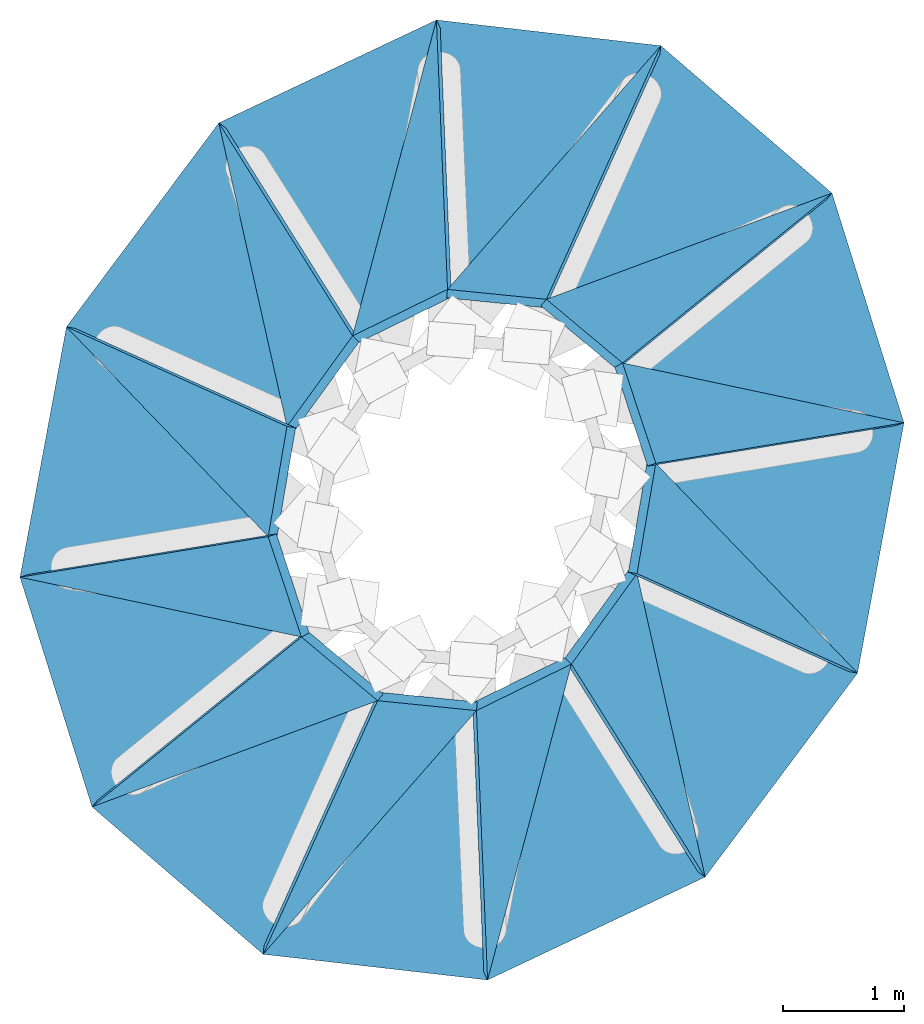
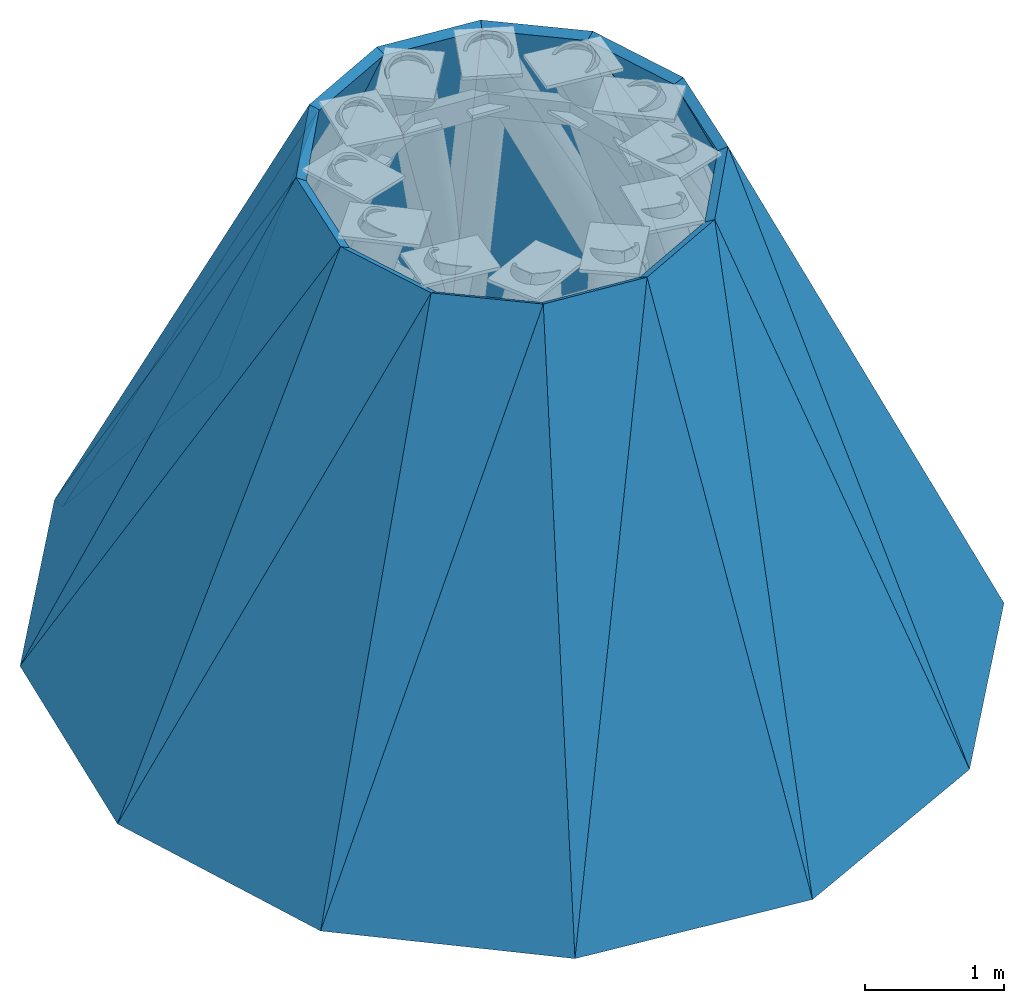
# One storey, part 2 of 2: 24 roofs.
"""IFC4 building model written with IfcOpenShell, lengths in metres."""

from ifc_helpers import new_model, si_unit, direction, frame, origin, place, context, subcontext, project, spatial, polyline, outline, extrude, material, layer, layer_set, type_object, element, save


model = new_model("IFC4")

# Units and contexts
model_context = context("Model", 3, precision=1e-05, world=origin(), true_north=direction((0.0, 1.0)))
body_context = subcontext(model_context, "Body", "Model", "MODEL_VIEW")
ifc_project = project(units=[si_unit("LENGTHUNIT", "METRE"), si_unit("AREAUNIT", "SQUARE_METRE"), si_unit("VOLUMEUNIT", "CUBIC_METRE"), si_unit("PLANEANGLEUNIT", "RADIAN"), si_unit("MASSUNIT", "GRAM", prefix="KILO")], contexts=[model_context])

# Site, building, storey
site_placement = place(None, origin())
site = spatial("IfcSite", under=ifc_project, at=site_placement, CompositionType="ELEMENT")
building_placement = place(site_placement, origin())
building = spatial("IfcBuilding", under=site, at=building_placement, Name="Veldorim Arch Residences", CompositionType="ELEMENT")
storey_placement = place(building_placement, frame((0.0, 0.0, 267.679931640625)))
storey = spatial("IfcBuildingStorey", under=building, at=storey_placement, Name="L79", CompositionType="ELEMENT", Elevation=267.679931640625)

# Roofs
ifc_material = material(Name="Laminated Low-E Glass", Category="glass")
ifc_layer = layer(ifc_material, 0.080078125, Name="Glass-Point Crown Laminated Double-Glazed Roof Facet")
ifc_layer_set = layer_set([ifc_layer], Name="Laminated Low-E Glass")
roof_type = type_object("IfcRoofType", Name="Glass-Point Crown Laminated Double-Glazed Roof Facet", PredefinedType="PAVILION_ROOF", material=ifc_layer_set)
roof_1_placement = place(storey_placement, frame((33.64404296875, 27.755859375, 0.0), z_axis=(0.100628832342, 0.878047216764, 0.467874901266), x_axis=(-0.993496808641, 0.113859963201, 0.0)))
element("IfcRoof", 1, at=roof_1_placement, inside=storey, type_object=roof_type, Name="L79 tapering glass-point crown facet 01A", PredefinedType="PAVILION_ROOF", context=body_context, shape_type="SweptSolid", body=[
    extrude(outline(polyline([(0.0, 0.0), (1.867614202543879, 1.3877787807814457e-17), (1.5228145823460693, 4.70715227941432), (0.0, 0.0)])), origin(), (0.0, 0.0, -1.0), 0.080078125),
])
roof_2_placement = place(storey_placement, frame((33.64404296875, 27.755859375, 0.0), z_axis=(0.088211724849, 0.881327292742, 0.464199197184), x_axis=(-0.356488379133, -0.407217899309, 0.840886209915)))
element("IfcRoof", 2, at=roof_2_placement, inside=storey, type_object=roof_type, Name="L79 tapering glass-point crown facet 01B", PredefinedType="PAVILION_ROOF", context=body_context, shape_type="SweptSolid", body=[
    extrude(outline(polyline([(0.0, 0.0), (4.947347454323506, 0.0), (4.689352188530043, 0.7796429844241001), (0.0, 0.0)])), origin(), (0.0, 0.0, -1.0), 0.080078125),
])
roof_3_placement = place(storey_placement, frame((31.78857421875, 27.968505859375, 0.0), z_axis=(-0.383003943635, 0.809748366342, 0.444539719672), x_axis=(-0.903980020755, -0.427574697656, 0.0)))
element("IfcRoof", 3, at=roof_3_placement, inside=storey, type_object=roof_type, Name="L79 tapering glass-point crown facet 03A", PredefinedType="PAVILION_ROOF", context=body_context, shape_type="SweptSolid", body=[
    extrude(outline(polyline([(0.0, 0.0), (1.9898980991832744, 0.0), (1.7435296324390939, 4.6442799881228), (0.0, 0.0)])), origin(), (0.0, 0.0, -1.0), 0.080078125),
])
roof_4_placement = place(storey_placement, frame((31.78857421875, 27.968505859375, 0.0), z_axis=(-0.394877242752, 0.806301722343, 0.44039697513), x_axis=(-0.139768517967, -0.526494227186, 0.8386111078)))
element("IfcRoof", 4, at=roof_4_placement, inside=storey, type_object=roof_type, Name="L79 tapering glass-point crown facet 03B", PredefinedType="PAVILION_ROOF", context=body_context, shape_type="SweptSolid", body=[
    extrude(outline(polyline([(0.0, 0.0), (4.960769314055142, 0.0), (4.648580846868063, 0.816618313421514), (0.0, 0.0)])), origin(), (0.0, 0.0, -1.0), 0.080078125),
])
roof_5_placement = place(storey_placement, frame((29.98974609375, 27.11767578125, 0.0), z_axis=(-0.725081281972, 0.54189511764, 0.424978606534), x_axis=(-0.598644593474, -0.8010147631, 0.0)))
element("IfcRoof", 5, at=roof_5_placement, inside=storey, type_object=roof_type, Name="L79 tapering glass-point crown facet 05A", PredefinedType="PAVILION_ROOF", context=body_context, shape_type="SweptSolid", body=[
    extrude(outline(polyline([(0.0, 0.0), (2.1051787988880255, 5.551115123125783e-17), (1.6729383062973544, 4.595824848753366), (0.0, 0.0)])), origin(), (0.0, 0.0, -1.0), 0.080078125),
])
roof_6_placement = place(storey_placement, frame((29.98974609375, 27.11767578125, 0.0), z_axis=(-0.734532334194, 0.532505985833, 0.420594371188), x_axis=(0.115110723651, -0.513056382344, 0.850601357768)))
element("IfcRoof", 6, at=roof_6_placement, inside=storey, type_object=roof_type, Name="L79 tapering glass-point crown facet 05B", PredefinedType="PAVILION_ROOF", context=body_context, shape_type="SweptSolid", body=[
    extrude(outline(polyline([(0.0, 0.0), (4.890841299520559, -2.220446049250313e-16), (4.569371137427923, 0.8665341527744004), (0.0, 0.0)])), origin(), (0.0, 0.0, -1.0), 0.080078125),
])
roof_7_placement = place(storey_placement, frame((28.7294921875, 25.431396484375, 0.0), z_axis=(-0.88975639129, 0.164999061827, 0.425568882503), x_axis=(-0.182334307672, -0.983236594236, 0.0)))
element("IfcRoof", 7, at=roof_7_placement, inside=storey, type_object=roof_type, Name="L79 tapering glass-point crown facet 07A", PredefinedType="PAVILION_ROOF", context=body_context, shape_type="SweptSolid", body=[
    extrude(outline(polyline([(0.0, 0.0), (2.1048647805183376, 2.7755575615628914e-17), (1.4008884776697004, 4.597233470624526), (0.0, 0.0)])), origin(), (0.0, 0.0, -1.0), 0.080078125),
])
roof_8_placement = place(storey_placement, frame((28.7294921875, 25.431396484375, 0.0), z_axis=(-0.89383288358, 0.152085713042, 0.421820710871), x_axis=(0.347114911668, -0.360830852858, 0.865628288426)))
element("IfcRoof", 8, at=roof_8_placement, inside=storey, type_object=roof_type, Name="L79 tapering glass-point crown facet 07B", PredefinedType="PAVILION_ROOF", context=body_context, shape_type="SweptSolid", body=[
    extrude(outline(polyline([(0.0, 0.0), (4.805938421400981, 2.220446049250313e-16), (4.530986572290776, 0.8823823239246105), (0.0, 0.0)])), origin(), (0.0, 0.0, -1.0), 0.080078125),
])
roof_9_placement = place(storey_placement, frame((28.345703125, 23.36181640625, 0.0), z_axis=(-0.854127542426, -0.267724729806, 0.445858285019), x_axis=(0.299099166482, -0.954222033182, 0.0)))
element("IfcRoof", 9, at=roof_9_placement, inside=storey, type_object=roof_type, Name="L79 tapering glass-point crown facet 09A", PredefinedType="PAVILION_ROOF", context=body_context, shape_type="SweptSolid", body=[
    extrude(outline(polyline([(0.0, 0.0), (1.9900250834892157, 5.551115123125783e-17), (1.167887914013775, 4.64768147384198), (0.0, 0.0)])), origin(), (0.0, 0.0, -1.0), 0.080078125),
])
roof_10_placement = place(storey_placement, frame((28.345703125, 23.36181640625, 0.0), z_axis=(-0.851314560515, -0.281684964876, 0.442625236084), x_axis=(0.485512732383, -0.103216033138, 0.868115105961)))
element("IfcRoof", 10, at=roof_10_placement, inside=storey, type_object=roof_type, Name="L79 tapering glass-point crown facet 09B", PredefinedType="PAVILION_ROOF", context=body_context, shape_type="SweptSolid", body=[
    extrude(outline(polyline([(0.0, 0.0), (4.792171247148145, 0.0), (4.573143821220161, 0.8464595730681594), (0.0, 0.0)])), origin(), (0.0, 0.0, -1.0), 0.080078125),
])
roof_11_placement = place(storey_placement, frame((28.94091796875, 21.462890625, 0.0), z_axis=(-0.576543462841, -0.669400222481, 0.468509314312), x_axis=(0.757704158251, -0.652598198411, 0.0)))
element("IfcRoof", 11, at=roof_11_placement, inside=storey, type_object=roof_type, Name="L79 tapering glass-point crown facet 11A", PredefinedType="PAVILION_ROOF", context=body_context, shape_type="SweptSolid", body=[
    extrude(outline(polyline([(0.0, 0.0), (1.8675350360571228, -5.551115123125783e-17), (1.2165971190125502, 4.708943295410012), (0.0, 0.0)])), origin(), (0.0, 0.0, -1.0), 0.080078125),
])
roof_12_placement = place(storey_placement, frame((28.94091796875, 21.462890625, 0.0), z_axis=(-0.567563052628, -0.679128529826, 0.465463877512), x_axis=(0.485564131431, 0.180461392794, 0.855371942478)))
element("IfcRoof", 12, at=roof_12_placement, inside=storey, type_object=roof_type, Name="L79 tapering glass-point crown facet 11B", PredefinedType="PAVILION_ROOF", context=body_context, shape_type="SweptSolid", body=[
    extrude(outline(polyline([(0.0, 0.0), (4.863564074768269, 0.0), (4.652630041817196, 0.7936537668953436), (0.0, 0.0)])), origin(), (0.0, 0.0, -1.0), 0.080078125),
])
roof_13_placement = place(storey_placement, frame((30.35595703125, 20.244140625, 0.0), z_axis=(-0.100628832342, -0.878047216764, 0.467874901266), x_axis=(0.993496808641, -0.113859963201, 0.0)))
element("IfcRoof", 13, at=roof_13_placement, inside=storey, type_object=roof_type, Name="L79 tapering glass-point crown facet 13A", PredefinedType="PAVILION_ROOF", context=body_context, shape_type="SweptSolid", body=[
    extrude(outline(polyline([(0.0, 0.0), (1.867614202543879, 1.3877787807814457e-17), (1.5228145823460693, 4.70715227941432), (0.0, 0.0)])), origin(), (0.0, 0.0, -1.0), 0.080078125),
])
roof_14_placement = place(storey_placement, frame((30.35595703125, 20.244140625, 0.0), z_axis=(-0.088211724849, -0.881327292742, 0.464199197184), x_axis=(0.356488379133, 0.407217899309, 0.840886209915)))
element("IfcRoof", 14, at=roof_14_placement, inside=storey, type_object=roof_type, Name="L79 tapering glass-point crown facet 13B", PredefinedType="PAVILION_ROOF", context=body_context, shape_type="SweptSolid", body=[
    extrude(outline(polyline([(0.0, 0.0), (4.947347454323506, 0.0), (4.689352188530043, 0.7796429844241001), (0.0, 0.0)])), origin(), (0.0, 0.0, -1.0), 0.080078125),
])
roof_15_placement = place(storey_placement, frame((32.21142578125, 20.031494140625, 0.0), z_axis=(0.383003943635, -0.809748366342, 0.444539719672), x_axis=(0.903980020755, 0.427574697656, 0.0)))
element("IfcRoof", 15, at=roof_15_placement, inside=storey, type_object=roof_type, Name="L79 tapering glass-point crown facet 15A", PredefinedType="PAVILION_ROOF", context=body_context, shape_type="SweptSolid", body=[
    extrude(outline(polyline([(0.0, 0.0), (1.9898980991832744, 0.0), (1.7435296324390939, 4.6442799881228), (0.0, 0.0)])), origin(), (0.0, 0.0, -1.0), 0.080078125),
])
roof_16_placement = place(storey_placement, frame((32.21142578125, 20.031494140625, 0.0), z_axis=(0.394877242752, -0.806301722343, 0.44039697513), x_axis=(0.139768517967, 0.526494227186, 0.8386111078)))
element("IfcRoof", 16, at=roof_16_placement, inside=storey, type_object=roof_type, Name="L79 tapering glass-point crown facet 15B", PredefinedType="PAVILION_ROOF", context=body_context, shape_type="SweptSolid", body=[
    extrude(outline(polyline([(0.0, 0.0), (4.960769314055142, 0.0), (4.648580846868063, 0.816618313421514), (0.0, 0.0)])), origin(), (0.0, 0.0, -1.0), 0.080078125),
])
roof_17_placement = place(storey_placement, frame((34.01025390625, 20.88232421875, 0.0), z_axis=(0.725081281972, -0.54189511764, 0.424978606534), x_axis=(0.598644593474, 0.8010147631, 0.0)))
element("IfcRoof", 17, at=roof_17_placement, inside=storey, type_object=roof_type, Name="L79 tapering glass-point crown facet 17A", PredefinedType="PAVILION_ROOF", context=body_context, shape_type="SweptSolid", body=[
    extrude(outline(polyline([(0.0, 0.0), (2.1051787988880255, 5.551115123125783e-17), (1.6729383062973544, 4.595824848753366), (0.0, 0.0)])), origin(), (0.0, 0.0, -1.0), 0.080078125),
])
roof_18_placement = place(storey_placement, frame((34.01025390625, 20.88232421875, 0.0), z_axis=(0.734532334194, -0.532505985833, 0.420594371188), x_axis=(-0.115110723651, 0.513056382344, 0.850601357768)))
element("IfcRoof", 18, at=roof_18_placement, inside=storey, type_object=roof_type, Name="L79 tapering glass-point crown facet 17B", PredefinedType="PAVILION_ROOF", context=body_context, shape_type="SweptSolid", body=[
    extrude(outline(polyline([(0.0, 0.0), (4.890841299520559, -2.220446049250313e-16), (4.569371137427923, 0.8665341527744004), (0.0, 0.0)])), origin(), (0.0, 0.0, -1.0), 0.080078125),
])
roof_19_placement = place(storey_placement, frame((35.2705078125, 22.568603515625, 0.0), z_axis=(0.88975639129, -0.164999061827, 0.425568882503), x_axis=(0.182334307672, 0.983236594236, 0.0)))
element("IfcRoof", 19, at=roof_19_placement, inside=storey, type_object=roof_type, Name="L79 tapering glass-point crown facet 19A", PredefinedType="PAVILION_ROOF", context=body_context, shape_type="SweptSolid", body=[
    extrude(outline(polyline([(0.0, 0.0), (2.1048647805183376, 2.7755575615628914e-17), (1.4008884776697004, 4.597233470624526), (0.0, 0.0)])), origin(), (0.0, 0.0, -1.0), 0.080078125),
])
roof_20_placement = place(storey_placement, frame((35.2705078125, 22.568603515625, 0.0), z_axis=(0.89383288358, -0.152085713042, 0.421820710871), x_axis=(-0.347114911668, 0.360830852858, 0.865628288426)))
element("IfcRoof", 20, at=roof_20_placement, inside=storey, type_object=roof_type, Name="L79 tapering glass-point crown facet 19B", PredefinedType="PAVILION_ROOF", context=body_context, shape_type="SweptSolid", body=[
    extrude(outline(polyline([(0.0, 0.0), (4.805938421400981, 2.220446049250313e-16), (4.530986572290776, 0.8823823239246105), (0.0, 0.0)])), origin(), (0.0, 0.0, -1.0), 0.080078125),
])
roof_21_placement = place(storey_placement, frame((35.654296875, 24.63818359375, 0.0), z_axis=(0.854127542426, 0.267724729806, 0.445858285019), x_axis=(-0.299099166482, 0.954222033182, 0.0)))
element("IfcRoof", 21, at=roof_21_placement, inside=storey, type_object=roof_type, Name="L79 tapering glass-point crown facet 21A", PredefinedType="PAVILION_ROOF", context=body_context, shape_type="SweptSolid", body=[
    extrude(outline(polyline([(0.0, 0.0), (1.9900250834892157, 5.551115123125783e-17), (1.167887914013775, 4.64768147384198), (0.0, 0.0)])), origin(), (0.0, 0.0, -1.0), 0.080078125),
])
roof_22_placement = place(storey_placement, frame((35.654296875, 24.63818359375, 0.0), z_axis=(0.851314560515, 0.281684964876, 0.442625236084), x_axis=(-0.485512732383, 0.103216033138, 0.868115105961)))
element("IfcRoof", 22, at=roof_22_placement, inside=storey, type_object=roof_type, Name="L79 tapering glass-point crown facet 21B", PredefinedType="PAVILION_ROOF", context=body_context, shape_type="SweptSolid", body=[
    extrude(outline(polyline([(0.0, 0.0), (4.792171247148145, 0.0), (4.573143821220161, 0.8464595730681594), (0.0, 0.0)])), origin(), (0.0, 0.0, -1.0), 0.080078125),
])
roof_23_placement = place(storey_placement, frame((35.05908203125, 26.537109375, 0.0), z_axis=(0.576543462841, 0.669400222481, 0.468509314312), x_axis=(-0.757704158251, 0.652598198411, 0.0)))
element("IfcRoof", 23, at=roof_23_placement, inside=storey, type_object=roof_type, Name="L79 tapering glass-point crown facet 23A", PredefinedType="PAVILION_ROOF", context=body_context, shape_type="SweptSolid", body=[
    extrude(outline(polyline([(0.0, 0.0), (1.8675350360571228, -5.551115123125783e-17), (1.2165971190125502, 4.708943295410012), (0.0, 0.0)])), origin(), (0.0, 0.0, -1.0), 0.080078125),
])
roof_24_placement = place(storey_placement, frame((35.05908203125, 26.537109375, 0.0), z_axis=(0.567563052628, 0.679128529826, 0.465463877512), x_axis=(-0.485564131431, -0.180461392794, 0.855371942478)))
element("IfcRoof", 24, at=roof_24_placement, inside=storey, type_object=roof_type, Name="L79 tapering glass-point crown facet 23B", PredefinedType="PAVILION_ROOF", context=body_context, shape_type="SweptSolid", body=[
    extrude(outline(polyline([(0.0, 0.0), (4.863564074768269, 0.0), (4.652630041817196, 0.7936537668953436), (0.0, 0.0)])), origin(), (0.0, 0.0, -1.0), 0.080078125),
])

save(model, "model.ifc")
